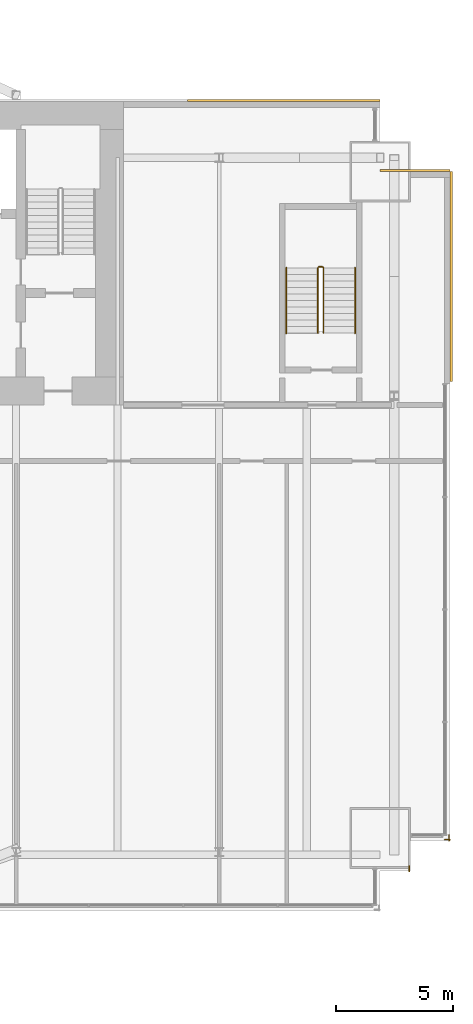
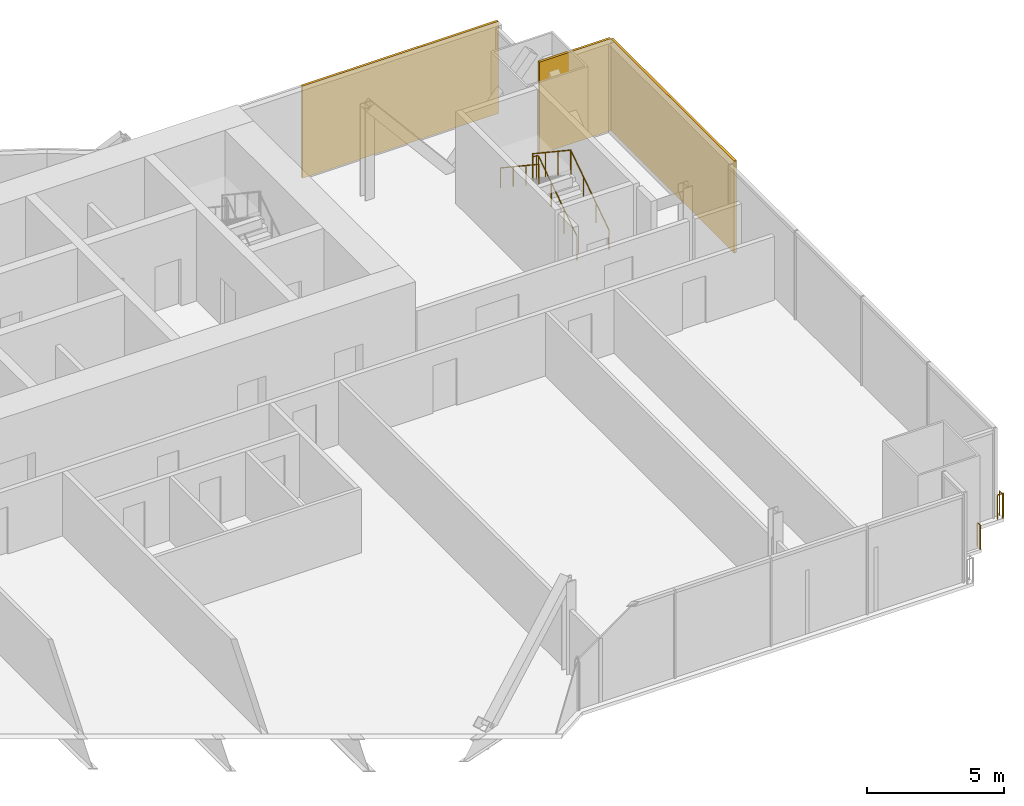
# One storey, part 21 of 21: 5 railings, 3 coverings.
"""IFC4 building model written with IfcOpenShell, lengths in metres."""

from ifc_helpers import new_model, si_unit, direction, frame, origin, origin_2d, place, context, subcontext, project, spatial, rectangle, circle, extrude, material, layer, layer_set, type_object, element, save


model = new_model("IFC4")

# Units and contexts
model_context = context("Model", 3, precision=1e-05, world=origin(), true_north=direction((0.0, 1.0)))
body_context = subcontext(model_context, "Body", "Model", "MODEL_VIEW")
ifc_project = project(units=[si_unit("LENGTHUNIT", "METRE"), si_unit("AREAUNIT", "SQUARE_METRE"), si_unit("VOLUMEUNIT", "CUBIC_METRE"), si_unit("PLANEANGLEUNIT", "RADIAN"), si_unit("MASSUNIT", "GRAM", prefix="KILO")], contexts=[model_context])

# Site, building, storey
site_placement = place(None, origin())
site = spatial("IfcSite", under=ifc_project, at=site_placement, CompositionType="ELEMENT")
building_placement = place(site_placement, origin())
building = spatial("IfcBuilding", under=site, at=building_placement, Name="Bicima Exchange Tower", CompositionType="ELEMENT")
storey_placement = place(building_placement, frame((0.0, 0.0, 165.0)))
storey = spatial("IfcBuildingStorey", under=building, at=storey_placement, Name="L36", CompositionType="ELEMENT", Elevation=165.0)

# Coverings
ifc_material_1 = material(Name="Bronze metal cladding")
ifc_layer_1 = layer(ifc_material_1, 0.004)
ifc_material_2 = material(Name="Ventilated cavity")
ifc_layer_2 = layer(ifc_material_2, 0.06)
ifc_material_3 = material(Name="Galvanised steel rail and mineral wool", Category="steel")
ifc_layer_3 = layer(ifc_material_3, 0.036)
ifc_layer_set = layer_set([ifc_layer_1, ifc_layer_2, ifc_layer_3], Name="Ventilated cavity")
covering_type = type_object("IfcCoveringType", Name="Bronze metal cladding panel 100", PredefinedType="CLADDING", material=ifc_layer_set)
covering_1_placement = place(storey_placement, frame((28.875, 0.050048828125, -0.150146484375), z_axis=(0.0, 0.0, 1.0), x_axis=(-1.0, 0.0, 0.0)))
element("IfcCovering", 1, at=covering_1_placement, inside=storey, type_object=covering_type, Name="Bronze cladding L36 1.1", PredefinedType="CLADDING", context=body_context, shape_type="SweptSolid", body=[
    extrude(rectangle(XDim=8.25, YDim=0.10009765625, at=origin_2d()), origin(), (0.0, 0.0, 1.0), 4.10009765625),
])
covering_2_placement = place(storey_placement, frame((36.050048828125, -7.5, -0.150146484375), z_axis=(0.0, 0.0, 1.0), x_axis=(0.0, 1.0, 0.0)))
element("IfcCovering", 2, at=covering_2_placement, inside=storey, type_object=covering_type, Name="Bronze cladding L36 50.1", PredefinedType="CLADDING", context=body_context, shape_type="SweptSolid", body=[
    extrude(rectangle(XDim=9.0, YDim=0.10009765625, at=origin_2d()), origin(), (0.0, 0.0, 1.0), 4.10009765625),
])
covering_3_placement = place(storey_placement, frame((34.5, -2.949951171875, -0.150146484375), z_axis=(0.0, 0.0, 1.0), x_axis=(-1.0, 0.0, 0.0)))
element("IfcCovering", 3, at=covering_3_placement, inside=storey, type_object=covering_type, Name="Bronze cladding L36 51.1", PredefinedType="CLADDING", context=body_context, shape_type="SweptSolid", body=[
    extrude(rectangle(XDim=3.0, YDim=0.10009765625, at=origin_2d()), origin(), (0.0, 0.0, 1.0), 4.10009765625),
])

# Railings
ifc_material_4 = material(Name="Stainless steel and bonded safety glass", Category="steel")
railing_type_1 = type_object("IfcRailingType", Name="Edge guard 1100", PredefinedType="GUARDRAIL", material=ifc_material_4)
railing_1_placement = place(storey_placement, frame((35.949951171875, -31.430908203125, 0.0)))
element("IfcRailing", 4, at=railing_1_placement, inside=storey, type_object=railing_type_1, Name="Edge guard L36 180", PredefinedType="GUARDRAIL", context=body_context, shape_type="SweptSolid", body=[
    extrude(circle(Radius=0.02392578125, at=origin_2d()), frame((0.0, 0.0, 1.076171875), z_axis=(0.0, -1.0, 0.0), x_axis=(1.0, 0.0, 0.0)), (0.0, 0.0, 1.0), 0.2490234375),
    extrude(circle(Radius=0.02392578125, at=origin_2d()), frame((0.0, -0.2490234375, 1.076171875), z_axis=(0.707106781187, 0.707106781187, 0.0), x_axis=(-0.707106781187, 0.707106781187, 0.0)), (0.0, 0.0, 1.0), 0.07080078125),
    extrude(circle(Radius=0.02392578125, at=origin_2d()), frame((0.050048828125, -0.198974609375, 1.076171875), z_axis=(-1.0, 0.0, 0.0), x_axis=(0.0, -1.0, 0.0)), (0.0, 0.0, 1.0), 0.242919921875),
    extrude(circle(Radius=0.02099609375, at=origin_2d()), origin(), (0.0, 0.0, 1.0), 1.052001953125),
    extrude(circle(Radius=0.02099609375, at=origin_2d()), frame((0.0, -0.2490234375, 0.0)), (0.0, 0.0, 1.0), 1.052001953125),
    extrude(circle(Radius=0.02099609375, at=origin_2d()), frame((0.050048828125, -0.198974609375, 0.0)), (0.0, 0.0, 1.0), 1.052001953125),
    extrude(circle(Radius=0.02099609375, at=origin_2d()), frame((-0.19287109375, -0.198974609375, 0.0)), (0.0, 0.0, 1.0), 1.052001953125),
])
railing_2_placement = place(storey_placement, frame((34.25, -32.762939453125, 0.0)))
element("IfcRailing", 5, at=railing_2_placement, inside=storey, type_object=railing_type_1, Name="Edge guard L36 181", PredefinedType="GUARDRAIL", context=body_context, shape_type="SweptSolid", body=[
    extrude(circle(Radius=0.02392578125, at=origin_2d()), frame((0.0, 0.0, 1.076171875), z_axis=(0.0, -1.0, 0.0), x_axis=(1.0, 0.0, 0.0)), (0.0, 0.0, 1.0), 0.217041015625),
    extrude(circle(Radius=0.02099609375, at=origin_2d()), origin(), (0.0, 0.0, 1.0), 1.052001953125),
    extrude(circle(Radius=0.02099609375, at=origin_2d()), frame((0.0, -0.217041015625, 0.0)), (0.0, 0.0, 1.0), 1.052001953125),
])
ifc_material_5 = material(Name="Stainless steel", Category="steel")
railing_type_2 = type_object("IfcRailingType", Name="Stair guard 1100", PredefinedType="GUARDRAIL", material=ifc_material_5)
railing_3_placement = place(storey_placement, frame((30.574951171875, -9.925048828125, 0.186279296875)))
element("IfcRailing", 6, at=railing_3_placement, inside=storey, type_object=railing_type_2, Name="L36 ST-EE stair guard 1", PredefinedType="GUARDRAIL", context=body_context, shape_type="SweptSolid", body=[
    extrude(circle(Radius=0.02392578125, at=origin_2d()), frame((0.0, 0.0, 1.076171875), z_axis=(0.0, 0.832452072856, 0.554097055034), x_axis=(-1.0, 0.0, 0.0)), (0.0, 0.0, 1.0), 3.363525390625),
    extrude(circle(Radius=0.02392578125, at=origin_2d()), frame((0.0, 2.800048828125, 2.93994140625), z_axis=(-0.707106781187, 0.707106781187, 0.0), x_axis=(-0.707106781187, -0.707106781187, 0.0)), (0.0, 0.0, 1.0), 0.07080078125),
    extrude(circle(Radius=0.02392578125, at=origin_2d()), frame((-0.050048828125, 2.85009765625, 2.93994140625), z_axis=(-1.0, 0.0, 0.0), x_axis=(0.0, -1.0, 0.0)), (0.0, 0.0, 1.0), 0.14990234375),
    extrude(circle(Radius=0.02392578125, at=origin_2d()), frame((-0.199951171875, 2.85009765625, 2.93994140625), z_axis=(-0.251157038772, -0.251157038772, 0.934794246747), x_axis=(0.707106781187, -0.707106781187, 0.0)), (0.0, 0.0, 1.0), 0.19921875),
    extrude(circle(Radius=0.02392578125, at=origin_2d()), frame((-0.25, 2.800048828125, 3.1259765625), z_axis=(0.0, -0.832452072856, 0.554097055034), x_axis=(1.0, 0.0, 0.0)), (0.0, 0.0, 1.0), 3.363525390625),
    extrude(circle(Radius=0.02099609375, at=origin_2d()), origin(), (0.0, 0.0, 1.0), 1.052001953125),
    extrude(circle(Radius=0.02099609375, at=origin_2d()), frame((0.0, 0.933349609375, 0.621337890625)), (0.0, 0.0, 1.0), 1.052001953125),
    extrude(circle(Radius=0.02099609375, at=origin_2d()), frame((0.0, 1.86669921875, 1.242431640625)), (0.0, 0.0, 1.0), 1.052001953125),
    extrude(circle(Radius=0.02099609375, at=origin_2d()), frame((0.0, 2.800048828125, 1.86376953125)), (0.0, 0.0, 1.0), 1.052001953125),
    extrude(circle(Radius=0.02099609375, at=origin_2d()), frame((-0.050048828125, 2.85009765625, 1.86376953125)), (0.0, 0.0, 1.0), 1.052001953125),
    extrude(circle(Radius=0.02099609375, at=origin_2d()), frame((-0.199951171875, 2.85009765625, 1.86376953125)), (0.0, 0.0, 1.0), 1.052001953125),
    extrude(circle(Radius=0.02099609375, at=origin_2d()), frame((-0.25, 2.800048828125, 2.050048828125)), (0.0, 0.0, 1.0), 1.052001953125),
    extrude(circle(Radius=0.02099609375, at=origin_2d()), frame((-0.25, 1.86669921875, 2.67138671875)), (0.0, 0.0, 1.0), 1.052001953125),
    extrude(circle(Radius=0.02099609375, at=origin_2d()), frame((-0.25, 0.933349609375, 3.29248046875)), (0.0, 0.0, 1.0), 1.052001953125),
    extrude(circle(Radius=0.02099609375, at=origin_2d()), frame((-0.25, 0.0, 3.913818359375)), (0.0, 0.0, 1.0), 1.052001953125),
])
railing_type_3 = type_object("IfcRailingType", Name="Stair handrail 900", PredefinedType="HANDRAIL", material=ifc_material_5)
railing_4_placement = place(storey_placement, frame((31.925048828125, -9.925048828125, 0.186279296875)))
element("IfcRailing", 7, at=railing_4_placement, inside=storey, type_object=railing_type_3, Name="L36 ST-EE stair handrail 1", PredefinedType="HANDRAIL", context=body_context, shape_type="SweptSolid", body=[
    extrude(circle(Radius=0.02392578125, at=origin_2d()), frame((0.0, 0.0, 0.8759765625), z_axis=(0.0, 0.832452072856, 0.554097055034), x_axis=(-1.0, 0.0, 0.0)), (0.0, 0.0, 1.0), 3.363525390625),
    extrude(circle(Radius=0.02099609375, at=origin_2d()), origin(), (0.0, 0.0, 1.0), 0.851806640625),
    extrude(circle(Radius=0.02099609375, at=origin_2d()), frame((0.0, 0.933349609375, 0.621337890625)), (0.0, 0.0, 1.0), 0.851806640625),
    extrude(circle(Radius=0.02099609375, at=origin_2d()), frame((0.0, 1.86669921875, 1.242431640625)), (0.0, 0.0, 1.0), 0.851806640625),
    extrude(circle(Radius=0.02099609375, at=origin_2d()), frame((0.0, 2.800048828125, 1.86376953125)), (0.0, 0.0, 1.0), 0.851806640625),
])
railing_5_placement = place(storey_placement, frame((28.97509765625, -7.125, 2.27685546875)))
element("IfcRailing", 8, at=railing_5_placement, inside=storey, type_object=railing_type_3, Name="L36 ST-EE stair handrail 2", PredefinedType="HANDRAIL", context=body_context, shape_type="SweptSolid", body=[
    extrude(circle(Radius=0.02392578125, at=origin_2d()), frame((0.0, 0.0, 0.8759765625), z_axis=(0.0, -0.832485552168, 0.554046753832), x_axis=(1.0, 0.0, 0.0)), (0.0, 0.0, 1.0), 3.363525390625),
    extrude(circle(Radius=0.02099609375, at=origin_2d()), origin(), (0.0, 0.0, 1.0), 0.851806640625),
    extrude(circle(Radius=0.02099609375, at=origin_2d()), frame((0.0, -0.933349609375, 0.62109375)), (0.0, 0.0, 1.0), 0.851806640625),
    extrude(circle(Radius=0.02099609375, at=origin_2d()), frame((0.0, -1.86669921875, 1.242431640625)), (0.0, 0.0, 1.0), 0.851806640625),
    extrude(circle(Radius=0.02099609375, at=origin_2d()), frame((0.0, -2.800048828125, 1.863525390625)), (0.0, 0.0, 1.0), 0.851806640625),
])

save(model, "model.ifc")
